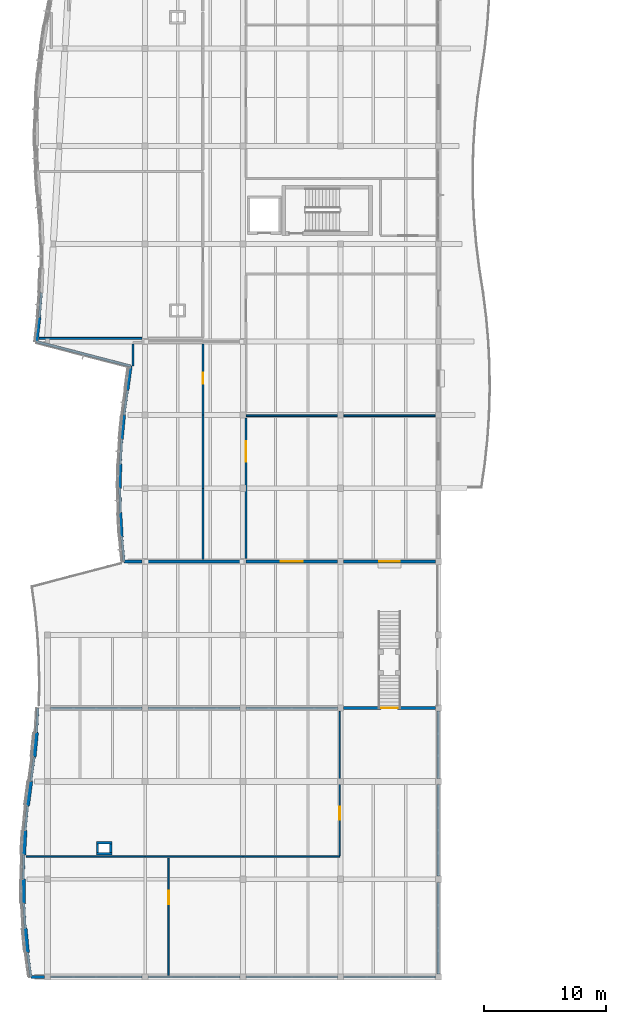
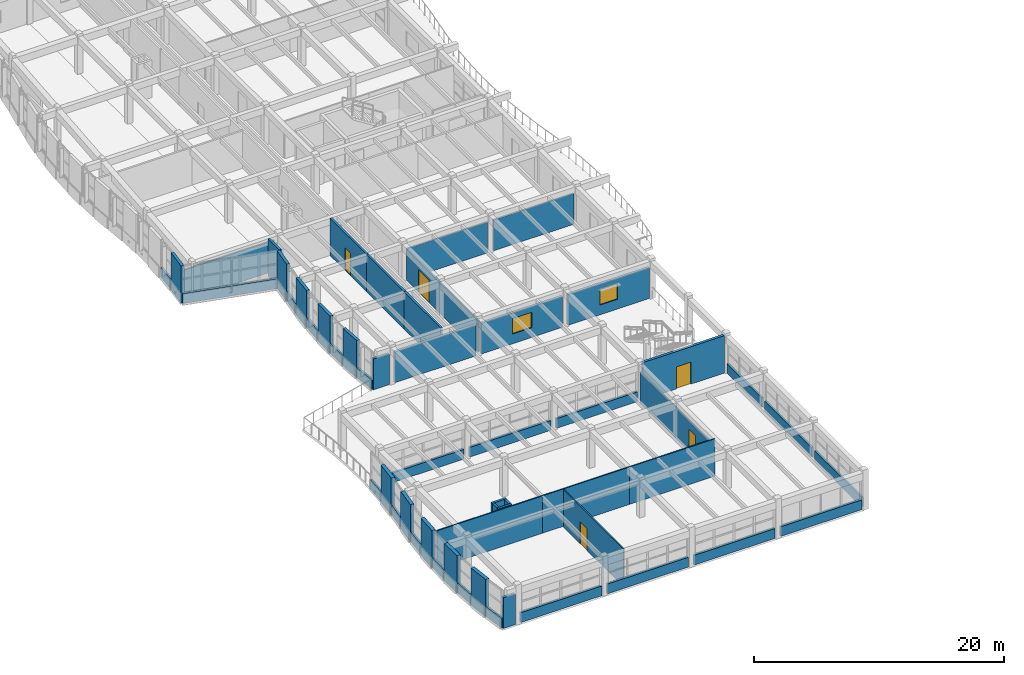
# One storey, part 56 of 89: 55 walls, 5 doors, 2 windows, 7 openings.
"""IFC4 building model written with IfcOpenShell, lengths in metres."""

from ifc_helpers import new_model, si_unit, direction, frame, frame_2d, origin, place, context, subcontext, project, spatial, rectangle, extrude, material, layer, layer_set, type_object, element, fill, save


model = new_model("IFC4")

# Units and contexts
model_context = context("Model", 3, precision=1e-05, world=origin(), true_north=direction((0.0, 1.0)))
body_context = subcontext(model_context, "Body", "Model", "MODEL_VIEW")
ifc_project = project(units=[si_unit("LENGTHUNIT", "METRE"), si_unit("AREAUNIT", "SQUARE_METRE"), si_unit("VOLUMEUNIT", "CUBIC_METRE"), si_unit("PLANEANGLEUNIT", "RADIAN"), si_unit("MASSUNIT", "GRAM", prefix="KILO")], contexts=[model_context])

# Site, building, storey
site_placement = place(None, origin())
site = spatial("IfcSite", under=ifc_project, at=site_placement, CompositionType="ELEMENT")
building_placement = place(site_placement, origin())
building = spatial("IfcBuilding", under=site, at=building_placement, Name="Tonlespit Floodbar School", CompositionType="ELEMENT")
storey_placement = place(building_placement, frame((0.0, 0.0, 4.5)))
storey = spatial("IfcBuildingStorey", under=building, at=storey_placement, Name="L01", CompositionType="ELEMENT", Elevation=4.5)

# Walls
ifc_material_1 = material(Name="Concrete C40/50", Category="concrete")
ifc_layer_1 = layer(ifc_material_1, 0.320068359375)
ifc_layer_set_1 = layer_set([ifc_layer_1], Name="Concrete C40/50")
wall_type_1 = type_object("IfcWallType", Name="ExtWall_Podium_RC_320", PredefinedType="SOLIDWALL", material=ifc_layer_set_1)
wall_1_placement = place(storey_placement, frame((2.378173828125, 6.0, 0.0), z_axis=(0.0, 0.0, 1.0), x_axis=(-0.096110619057, 0.995370659053, 0.0)))
element("IfcWall", 1, at=wall_1_placement, inside=storey, type_object=wall_type_1, Name="L01 external wall 0713", PredefinedType="SOLIDWALL", context=body_context, shape_type="SweptSolid", body=[
    extrude(rectangle(XDim=2.00927734375, YDim=0.320068359375, at=frame_2d((1.004638671875, 0.0))), origin(), (0.0, 0.0, 1.0), 3.64990234375),
])
wall_2_placement = place(storey_placement, frame((2.0693359375, 10.0, 0.0), z_axis=(0.0, 0.0, 1.0), x_axis=(-0.019161520385, 0.999816401214, 0.0)))
element("IfcWall", 2, at=wall_2_placement, inside=storey, type_object=wall_type_1, Name="L01 external wall 0715", PredefinedType="SOLIDWALL", context=body_context, shape_type="SweptSolid", body=[
    extrude(rectangle(XDim=2.00048828125, YDim=0.320068359375, at=frame_2d((1.000244140625, 0.0))), origin(), (0.0, 0.0, 1.0), 3.64990234375),
])
wall_3_placement = place(storey_placement, frame((2.0693359375, 14.0, 0.0), z_axis=(0.0, 0.0, 1.0), x_axis=(0.05776471272, 0.998330224908, 0.0)))
element("IfcWall", 3, at=wall_3_placement, inside=storey, type_object=wall_type_1, Name="L01 external wall 0717", PredefinedType="SOLIDWALL", context=body_context, shape_type="SweptSolid", body=[
    extrude(rectangle(XDim=2.00341796875, YDim=0.320068359375, at=frame_2d((1.001708984375, 0.0))), origin(), (0.0, 0.0, 1.0), 3.64990234375),
])
wall_4_placement = place(storey_placement, frame((2.378173828125, 18.0, 0.0), z_axis=(0.0, 0.0, 1.0), x_axis=(0.134627389588, 0.990896294257, 0.0)))
element("IfcWall", 4, at=wall_4_placement, inside=storey, type_object=wall_type_1, Name="L01 external wall 0719", PredefinedType="SOLIDWALL", context=body_context, shape_type="SweptSolid", body=[
    extrude(rectangle(XDim=2.018310546875, YDim=0.320068359375, at=frame_2d((1.00927734375, 0.0))), origin(), (0.0, 0.0, 1.0), 3.64990234375),
])
wall_5_placement = place(storey_placement, frame((2.921875, 22.0, 0.0), z_axis=(0.0, 0.0, 1.0), x_axis=(0.096110619057, 0.995370659053, 0.0)))
element("IfcWall", 5, at=wall_5_placement, inside=storey, type_object=wall_type_1, Name="L01 external wall 0721", PredefinedType="SOLIDWALL", context=body_context, shape_type="SweptSolid", body=[
    extrude(rectangle(XDim=2.00927734375, YDim=0.320068359375, at=frame_2d((1.004638671875, 0.0))), origin(), (0.0, 0.0, 1.0), 3.64990234375),
])

# Wall, opening, window
ifc_material_2 = material(Name="Precast concrete C40/50", Category="concrete")
ifc_layer_2 = layer(ifc_material_2, 0.239990234375)
ifc_layer_set_2 = layer_set([ifc_layer_2], Name="Precast concrete C40/50")
wall_type_2 = type_object("IfcWallType", Name="ExtWall_Rainscreen_240", PredefinedType="SOLIDWALL", material=ifc_layer_set_2)
wall_6_placement = place(storey_placement, frame((35.75, 38.0, 0.0), z_axis=(0.0, 0.0, 1.0), x_axis=(-1.0, 0.0, 0.0)))
wall_6 = element("IfcWall", 6, at=wall_6_placement, inside=storey, type_object=wall_type_2, Name="L01 external wall 0376", PredefinedType="SOLIDWALL", context=body_context, shape_type="SweptSolid", body=[
    extrude(rectangle(XDim=7.5, YDim=0.239990234375, at=frame_2d((3.75, 0.0))), origin(), (0.0, 0.0, 1.0), 2.998046875),
])
opening_1_placement = place(wall_6_placement, frame((2.925048828125, 0.0, 0.949951171875)))
opening_1 = element("IfcOpeningElement", 7, at=opening_1_placement, cuts=wall_6, Name="Opening W-L01-036", PredefinedType="OPENING", context=body_context, shape_type="SweptSolid", body=[
    extrude(rectangle(XDim=1.64990234375, YDim=1.5, at=frame_2d((0.824951171875, 0.75))), frame((0.0, 0.1298828125, 0.0), z_axis=(0.0, -1.0, 0.0), x_axis=(1.0, 0.0, 0.0)), (0.0, 0.0, 1.0), 0.260009765625),
])
ifc_material_3 = material(Name="Tempered Double Glazing", Category="glass")
window_type_1 = type_object("IfcWindowType", Name="Win_Mod_1650x1500", PartitioningType="DOUBLE_PANEL_VERTICAL", PredefinedType="WINDOW", material=ifc_material_3)
window_1_placement = place(opening_1_placement, origin())
window_1 = element("IfcWindow", 8, at=window_1_placement, inside=storey, type_object=window_type_1, Name="L01 window W-L01-036", OverallHeight=1.5, OverallWidth=1.64990234375, PartitioningType="DOUBLE_PANEL_VERTICAL", PredefinedType="WINDOW", context=body_context, shape_type="SweptSolid", body=[
    extrude(rectangle(XDim=1.64990234375, YDim=1.5, at=frame_2d((0.824951171875, 0.75))), frame((0.0, 0.030029296875, 0.0), z_axis=(0.0, -1.0, 0.0), x_axis=(1.0, 0.0, 0.0)), (0.0, 0.0, 1.0), 0.06005859375),
])
fill(opening_1, window_1)

wall_7_placement = place(storey_placement, frame((27.75, 38.0, 0.0), z_axis=(0.0, 0.0, 1.0), x_axis=(-1.0, 0.0, 0.0)))
wall_7 = element("IfcWall", 9, at=wall_7_placement, inside=storey, type_object=wall_type_2, Name="L01 external wall 0377", PredefinedType="SOLIDWALL", context=body_context, shape_type="SweptSolid", body=[
    extrude(rectangle(XDim=7.5, YDim=0.239990234375, at=frame_2d((3.75, 0.0))), origin(), (0.0, 0.0, 1.0), 2.998046875),
])
opening_2_placement = place(wall_7_placement, frame((2.85009765625, 0.0, 0.949951171875)))
opening_2 = element("IfcOpeningElement", 10, at=opening_2_placement, cuts=wall_7, Name="Opening W-L01-037", PredefinedType="OPENING", context=body_context, shape_type="SweptSolid", body=[
    extrude(rectangle(XDim=1.800048828125, YDim=1.5, at=frame_2d((0.89990234375, 0.75))), frame((0.0, 0.1298828125, 0.0), z_axis=(0.0, -1.0, 0.0), x_axis=(1.0, 0.0, 0.0)), (0.0, 0.0, 1.0), 0.260009765625),
])
window_type_2 = type_object("IfcWindowType", Name="Win_Mod_1800x1500", PartitioningType="DOUBLE_PANEL_VERTICAL", PredefinedType="WINDOW", material=ifc_material_3)
window_2_placement = place(opening_2_placement, origin())
window_2 = element("IfcWindow", 11, at=window_2_placement, inside=storey, type_object=window_type_2, Name="L01 window W-L01-037", OverallHeight=1.5, OverallWidth=1.800048828125, PartitioningType="DOUBLE_PANEL_VERTICAL", PredefinedType="WINDOW", context=body_context, shape_type="SweptSolid", body=[
    extrude(rectangle(XDim=1.800048828125, YDim=1.5, at=frame_2d((0.89990234375, 0.75))), frame((0.0, 0.030029296875, 0.0), z_axis=(0.0, -1.0, 0.0), x_axis=(1.0, 0.0, 0.0)), (0.0, 0.0, 1.0), 0.06005859375),
])
fill(opening_2, window_2)

# Walls
wall_8_placement = place(storey_placement, frame((19.75, 38.0, 0.0), z_axis=(0.0, 0.0, 1.0), x_axis=(-1.0, 0.0, 0.0)))
element("IfcWall", 12, at=wall_8_placement, inside=storey, type_object=wall_type_2, Name="L01 external wall 0378", PredefinedType="SOLIDWALL", context=body_context, shape_type="SweptSolid", body=[
    extrude(rectangle(XDim=7.5, YDim=0.239990234375, at=frame_2d((3.75, 0.0))), origin(), (0.0, 0.0, 1.0), 2.998046875),
])
wall_9_placement = place(storey_placement, frame((11.75, 38.0, 0.0), z_axis=(0.0, 0.0, 1.0), x_axis=(-1.0, 0.0, 0.0)))
element("IfcWall", 13, at=wall_9_placement, inside=storey, type_object=wall_type_2, Name="L01 external wall 0379", PredefinedType="SOLIDWALL", context=body_context, shape_type="SweptSolid", body=[
    extrude(rectangle(XDim=1.4716796875, YDim=0.239990234375, at=frame_2d((0.73583984375, 0.0))), origin(), (0.0, 0.0, 1.0), 3.0),
])
wall_10_placement = place(storey_placement, frame((3.75, 4.0, 0.0), z_axis=(0.0, 0.0, 1.0), x_axis=(-1.0, 0.0, 0.0)))
element("IfcWall", 14, at=wall_10_placement, inside=storey, type_object=wall_type_2, Name="L01 external wall 0727", PredefinedType="SOLIDWALL", context=body_context, shape_type="SweptSolid", body=[
    extrude(rectangle(XDim=1.10009765625, YDim=0.239990234375, at=frame_2d((0.550048828125, 0.0))), origin(), (0.0, 0.0, 1.0), 3.0),
])

# Wall, opening, door
wall_11_placement = place(storey_placement, frame((28.25, 26.0, 0.0), z_axis=(0.0, 0.0, 1.0), x_axis=(1.0, 0.0, 0.0)))
wall_11 = element("IfcWall", 15, at=wall_11_placement, inside=storey, type_object=wall_type_2, Name="L01 external wall 0734", PredefinedType="SOLIDWALL", context=body_context, shape_type="SweptSolid", body=[
    extrude(rectangle(XDim=7.5, YDim=0.239990234375, at=frame_2d((3.75, 0.0))), origin(), (0.0, 0.0, 1.0), 3.64990234375),
])
opening_3_placement = place(wall_11_placement, frame((3.074951171875, 0.0, 0.0)))
opening_3 = element("IfcOpeningElement", 16, at=opening_3_placement, cuts=wall_11, Name="Opening D-TR-039", PredefinedType="OPENING", context=body_context, shape_type="SweptSolid", body=[
    extrude(rectangle(XDim=1.35009765625, YDim=2.14990234375, at=frame_2d((0.675048828125, 1.074951171875))), frame((0.0, 0.1298828125, 0.0), z_axis=(0.0, -1.0, 0.0), x_axis=(1.0, 0.0, 0.0)), (0.0, 0.0, 1.0), 0.260009765625),
])
ifc_material_4 = material(Name="Anodised Aluminium", Category="aluminium")
door_type_1 = type_object("IfcDoorType", Name="ExtDoor_Terrace_1350x2150", OperationType="NOTDEFINED", PredefinedType="DOOR", material=ifc_material_4)
door_1_placement = place(opening_3_placement, origin())
door_1 = element("IfcDoor", 17, at=door_1_placement, inside=storey, type_object=door_type_1, Name="L01 exterior door D-TR-039", OperationType="SINGLE_SWING_LEFT", OverallHeight=2.14990234375, OverallWidth=1.35009765625, PredefinedType="DOOR", context=body_context, shape_type="SweptSolid", body=[
    extrude(rectangle(XDim=1.35009765625, YDim=2.14990234375, at=frame_2d((0.675048828125, 1.074951171875))), frame((0.0, 0.02490234375, 0.0), z_axis=(0.0, -1.0, 0.0), x_axis=(1.0, 0.0, 0.0)), (0.0, 0.0, 1.0), 0.050048828125),
])
fill(opening_3, door_1)

# Walls
ifc_layer_3 = layer(ifc_material_2, 0.260009765625)
ifc_layer_set_3 = layer_set([ifc_layer_3], Name="Precast concrete C40/50")
wall_type_3 = type_object("IfcWallType", Name="ExtWall_Rainscreen_260", PredefinedType="SOLIDWALL", material=ifc_layer_set_3)
wall_12_placement = place(storey_placement, frame((10.0849609375, 40.0, 0.0), z_axis=(0.0, 0.0, 1.0), x_axis=(-0.057643251596, 0.998337245396, 0.0)))
element("IfcWall", 18, at=wall_12_placement, inside=storey, type_object=wall_type_3, Name="L01 external wall 0336", PredefinedType="SOLIDWALL", context=body_context, shape_type="SweptSolid", body=[
    extrude(rectangle(XDim=2.00341796875, YDim=0.260009765625, at=frame_2d((1.001708984375, 0.0))), origin(), (0.0, 0.0, 1.0), 3.64990234375),
])
wall_13_placement = place(storey_placement, frame((9.930908203125, 44.0, 0.0), z_axis=(0.0, 0.0, 1.0), x_axis=(0.019283523045, 0.999814055582, 0.0)))
element("IfcWall", 19, at=wall_13_placement, inside=storey, type_object=wall_type_3, Name="L01 external wall 0338", PredefinedType="SOLIDWALL", context=body_context, shape_type="SweptSolid", body=[
    extrude(rectangle(XDim=2.00048828125, YDim=0.260009765625, at=frame_2d((1.000244140625, 0.0))), origin(), (0.0, 0.0, 1.0), 3.64990234375),
])
wall_14_placement = place(storey_placement, frame((10.0849609375, 48.0, 0.0), z_axis=(0.0, 0.0, 1.0), x_axis=(0.09623099978, 0.99535902803, 0.0)))
element("IfcWall", 20, at=wall_14_placement, inside=storey, type_object=wall_type_3, Name="L01 external wall 0340", PredefinedType="SOLIDWALL", context=body_context, shape_type="SweptSolid", body=[
    extrude(rectangle(XDim=2.00927734375, YDim=0.260009765625, at=frame_2d((1.004638671875, 0.0))), origin(), (0.0, 0.0, 1.0), 3.64990234375),
])
wall_15_placement = place(storey_placement, frame((10.550048828125, 52.0, 0.0), z_axis=(0.0, 0.0, 1.0), x_axis=(0.134627389588, 0.990896294257, 0.0)))
element("IfcWall", 21, at=wall_15_placement, inside=storey, type_object=wall_type_3, Name="L01 external wall 0342", PredefinedType="SOLIDWALL", context=body_context, shape_type="SweptSolid", body=[
    extrude(rectangle(XDim=2.018310546875, YDim=0.260009765625, at=frame_2d((1.00927734375, 0.0))), origin(), (0.0, 0.0, 1.0), 3.64990234375),
])
wall_16_placement = place(storey_placement, frame((3.114990234375, 56.0, 0.0), z_axis=(0.0, 0.0, 1.0), x_axis=(0.116988959085, 0.99313321536, 0.0)))
element("IfcWall", 22, at=wall_16_placement, inside=storey, type_object=wall_type_3, Name="L01 external wall 0344", PredefinedType="SOLIDWALL", context=body_context, shape_type="SweptSolid", body=[
    extrude(rectangle(XDim=2.013916015625, YDim=0.260009765625, at=frame_2d((1.0068359375, 0.0))), origin(), (0.0, 0.0, 1.0), 3.64990234375),
])
ifc_material_5 = material(Name="White Architectural Precast concrete C40/50", Category="concrete")
ifc_layer_4 = layer(ifc_material_5, 0.18505859375)
ifc_layer_set_4 = layer_set([ifc_layer_4], Name="White Architectural Precast concrete C40/50")
wall_type_4 = type_object("IfcWallType", Name="ExtWall_Spandrel_White_185", PredefinedType="SOLIDWALL", material=ifc_layer_set_4)
for number, where, z_axis, x_axis, name in (
    (23, (35.75, 4.0, 0.0), (0.0, 0.0, 1.0), (-1.0, 0.0, 0.0), "L01 spandrel wall 0723"),
    (24, (27.75, 4.0, 0.0), (0.0, 0.0, 1.0), (-1.0, 0.0, 0.0), "L01 spandrel wall 0724"),
    (25, (19.75, 4.0, 0.0), (0.0, 0.0, 1.0), (-1.0, 0.0, 0.0), "L01 spandrel wall 0725"),
    (26, (11.75, 4.0, 0.0), (0.0, 0.0, 1.0), (-1.0, 0.0, 0.0), "L01 spandrel wall 0726"),
):
    element("IfcWall", number, at=place(storey_placement, frame(where, z_axis=z_axis, x_axis=x_axis)), inside=storey, type_object=wall_type_4, Name=name, PredefinedType="SOLIDWALL", context=body_context, shape_type="SweptSolid", body=[
        extrude(rectangle(XDim=7.5, YDim=0.18505859375, at=frame_2d((3.75, 0.0))), origin(), (0.0, 0.0, 1.0), 0.949951171875),
    ])
wall_17_placement = place(storey_placement, frame((36.0, 25.75, 0.0), z_axis=(0.0, 0.0, 1.0), x_axis=(0.0, -1.0, 0.0)))
element("IfcWall", 27, at=wall_17_placement, inside=storey, type_object=wall_type_4, Name="L01 spandrel wall 0728", PredefinedType="SOLIDWALL", context=body_context, shape_type="SweptSolid", body=[
    extrude(rectangle(XDim=5.5, YDim=0.18505859375, at=frame_2d((2.75, 0.0))), origin(), (0.0, 0.0, 1.0), 0.949951171875),
])
for number, where, z_axis, x_axis, name in (
    (28, (36.0, 19.75, 0.0), (0.0, 0.0, 1.0), (0.0, -1.0, 0.0), "L01 spandrel wall 0729"),
    (29, (36.0, 11.75, 0.0), (0.0, 0.0, 1.0), (0.0, -1.0, 0.0), "L01 spandrel wall 0730"),
    (30, (4.25, 26.0, 0.0), (0.0, 0.0, 1.0), (1.0, 0.0, 0.0), "L01 spandrel wall 0731"),
    (31, (12.25, 26.0, 0.0), (0.0, 0.0, 1.0), (1.0, 0.0, 0.0), "L01 spandrel wall 0732"),
    (32, (20.25, 26.0, 0.0), (0.0, 0.0, 1.0), (1.0, 0.0, 0.0), "L01 spandrel wall 0733"),
):
    element("IfcWall", number, at=place(storey_placement, frame(where, z_axis=z_axis, x_axis=x_axis)), inside=storey, type_object=wall_type_4, Name=name, PredefinedType="SOLIDWALL", context=body_context, shape_type="SweptSolid", body=[
        extrude(rectangle(XDim=7.5, YDim=0.18505859375, at=frame_2d((3.75, 0.0))), origin(), (0.0, 0.0, 1.0), 0.949951171875),
    ])
ifc_layer_5 = layer(ifc_material_5, 0.199951171875)
ifc_layer_set_5 = layer_set([ifc_layer_5], Name="White Architectural Precast concrete C40/50")
wall_type_5 = type_object("IfcWallType", Name="ExtWall_Spandrel_White_200", PredefinedType="SOLIDWALL", material=ifc_layer_set_5)
wall_18_placement = place(storey_placement, frame((10.2783203125, 38.0, 0.0), z_axis=(0.0, 0.0, 1.0), x_axis=(-0.09623099978, 0.99535902803, 0.0)))
element("IfcWall", 33, at=wall_18_placement, inside=storey, type_object=wall_type_5, Name="L01 spandrel wall 0335", PredefinedType="SOLIDWALL", context=body_context, shape_type="SweptSolid", body=[
    extrude(rectangle(XDim=2.00927734375, YDim=0.199951171875, at=frame_2d((1.004638671875, 0.0))), origin(), (0.0, 0.0, 1.0), 0.949951171875),
])
wall_19_placement = place(storey_placement, frame((9.969482421875, 42.0, 0.0), z_axis=(0.0, 0.0, 1.0), x_axis=(-0.019283523045, 0.999814055582, 0.0)))
element("IfcWall", 34, at=wall_19_placement, inside=storey, type_object=wall_type_5, Name="L01 spandrel wall 0337", PredefinedType="SOLIDWALL", context=body_context, shape_type="SweptSolid", body=[
    extrude(rectangle(XDim=2.00048828125, YDim=0.199951171875, at=frame_2d((1.000244140625, 0.0))), origin(), (0.0, 0.0, 1.0), 0.949951171875),
])
wall_20_placement = place(storey_placement, frame((9.969482421875, 46.0, 0.0), z_axis=(0.0, 0.0, 1.0), x_axis=(0.057643251596, 0.998337245396, 0.0)))
element("IfcWall", 35, at=wall_20_placement, inside=storey, type_object=wall_type_5, Name="L01 spandrel wall 0339", PredefinedType="SOLIDWALL", context=body_context, shape_type="SweptSolid", body=[
    extrude(rectangle(XDim=2.00341796875, YDim=0.199951171875, at=frame_2d((1.001708984375, 0.0))), origin(), (0.0, 0.0, 1.0), 0.949951171875),
])
wall_21_placement = place(storey_placement, frame((10.2783203125, 50.0, 0.0), z_axis=(0.0, 0.0, 1.0), x_axis=(0.134627389588, 0.990896294257, 0.0)))
element("IfcWall", 36, at=wall_21_placement, inside=storey, type_object=wall_type_5, Name="L01 spandrel wall 0341", PredefinedType="SOLIDWALL", context=body_context, shape_type="SweptSolid", body=[
    extrude(rectangle(XDim=2.018310546875, YDim=0.199951171875, at=frame_2d((1.00927734375, 0.0))), origin(), (0.0, 0.0, 1.0), 0.949951171875),
])
wall_22_placement = place(storey_placement, frame((10.82177734375, 54.0, 0.0), z_axis=(0.0, 0.0, 1.0), x_axis=(-0.967937555254, 0.251190941573, 0.0)))
element("IfcWall", 37, at=wall_22_placement, inside=storey, type_object=wall_type_5, Name="L01 spandrel wall 0343", PredefinedType="SOLIDWALL", context=body_context, shape_type="SweptSolid", body=[
    extrude(rectangle(XDim=7.962158203125, YDim=0.199951171875, at=frame_2d((3.98095703125, 0.0))), origin(), (0.0, 0.0, 1.0), 0.949951171875),
])
wall_23_placement = place(storey_placement, frame((3.3505859375, 58.0, 0.0), z_axis=(0.0, 0.0, 1.0), x_axis=(0.078976178075, 0.996876503533, 0.0)))
element("IfcWall", 38, at=wall_23_placement, inside=storey, type_object=wall_type_5, Name="L01 spandrel wall 0345", PredefinedType="SOLIDWALL", context=body_context, shape_type="SweptSolid", body=[
    extrude(rectangle(XDim=2.00634765625, YDim=0.199951171875, at=frame_2d((1.003173828125, 0.0))), origin(), (0.0, 0.0, 1.0), 0.949951171875),
])
wall_24_placement = place(storey_placement, frame((2.64990234375, 4.0, 0.0), z_axis=(0.0, 0.0, 1.0), x_axis=(-0.134627389588, 0.990896294257, 0.0)))
element("IfcWall", 39, at=wall_24_placement, inside=storey, type_object=wall_type_5, Name="L01 spandrel wall 0712", PredefinedType="SOLIDWALL", context=body_context, shape_type="SweptSolid", body=[
    extrude(rectangle(XDim=2.018310546875, YDim=0.199951171875, at=frame_2d((1.00927734375, 0.0))), origin(), (0.0, 0.0, 1.0), 0.949951171875),
])
wall_25_placement = place(storey_placement, frame((2.18505859375, 8.0, 0.0), z_axis=(0.0, 0.0, 1.0), x_axis=(-0.05776471272, 0.998330224908, 0.0)))
element("IfcWall", 40, at=wall_25_placement, inside=storey, type_object=wall_type_5, Name="L01 spandrel wall 0714", PredefinedType="SOLIDWALL", context=body_context, shape_type="SweptSolid", body=[
    extrude(rectangle(XDim=2.00341796875, YDim=0.199951171875, at=frame_2d((1.001708984375, 0.0))), origin(), (0.0, 0.0, 1.0), 0.949951171875),
])
wall_26_placement = place(storey_placement, frame((2.031005859375, 12.0, 0.0), z_axis=(0.0, 0.0, 1.0), x_axis=(0.019161520385, 0.999816401214, 0.0)))
element("IfcWall", 41, at=wall_26_placement, inside=storey, type_object=wall_type_5, Name="L01 spandrel wall 0716", PredefinedType="SOLIDWALL", context=body_context, shape_type="SweptSolid", body=[
    extrude(rectangle(XDim=2.00048828125, YDim=0.199951171875, at=frame_2d((1.000244140625, 0.0))), origin(), (0.0, 0.0, 1.0), 0.949951171875),
])
wall_27_placement = place(storey_placement, frame((2.18505859375, 16.0, 0.0), z_axis=(0.0, 0.0, 1.0), x_axis=(0.096110619057, 0.995370659053, 0.0)))
element("IfcWall", 42, at=wall_27_placement, inside=storey, type_object=wall_type_5, Name="L01 spandrel wall 0718", PredefinedType="SOLIDWALL", context=body_context, shape_type="SweptSolid", body=[
    extrude(rectangle(XDim=2.00927734375, YDim=0.199951171875, at=frame_2d((1.004638671875, 0.0))), origin(), (0.0, 0.0, 1.0), 0.949951171875),
])
wall_28_placement = place(storey_placement, frame((2.64990234375, 20.0, 0.0), z_axis=(0.0, 0.0, 1.0), x_axis=(0.134746153381, 0.990880151254, 0.0)))
element("IfcWall", 43, at=wall_28_placement, inside=storey, type_object=wall_type_5, Name="L01 spandrel wall 0720", PredefinedType="SOLIDWALL", context=body_context, shape_type="SweptSolid", body=[
    extrude(rectangle(XDim=2.018310546875, YDim=0.199951171875, at=frame_2d((1.00927734375, 0.0))), origin(), (0.0, 0.0, 1.0), 0.949951171875),
])
wall_29_placement = place(storey_placement, frame((3.114990234375, 24.0, 0.0), z_axis=(0.0, 0.0, 1.0), x_axis=(0.05776471272, 0.998330224908, 0.0)))
element("IfcWall", 44, at=wall_29_placement, inside=storey, type_object=wall_type_5, Name="L01 spandrel wall 0722", PredefinedType="SOLIDWALL", context=body_context, shape_type="SweptSolid", body=[
    extrude(rectangle(XDim=2.00341796875, YDim=0.199951171875, at=frame_2d((1.001708984375, 0.0))), origin(), (0.0, 0.0, 1.0), 0.949951171875),
])
ifc_material_6 = material(Name="Gypsum Plasterboard Partition")
ifc_layer_6 = layer(ifc_material_6, 0.159912109375)
ifc_layer_set_6 = layer_set([ifc_layer_6], Name="Gypsum Plasterboard Partition")
wall_type_6 = type_object("IfcWallType", Name="FireWall_Lab_160", PredefinedType="PARTITIONING", material=ifc_layer_set_6)
wall_30_placement = place(storey_placement, frame((3.31884765625, 56.27001953125, 0.0), z_axis=(0.0, 0.0, 1.0), x_axis=(1.0, 0.0, 0.0)))
element("IfcWall", 45, at=wall_30_placement, inside=storey, type_object=wall_type_6, Name="L01 partition wall 0184", PredefinedType="PARTITIONING", context=body_context, shape_type="SweptSolid", body=[
    extrude(rectangle(XDim=8.416259765625, YDim=0.159912109375, at=frame_2d((4.2080078125, 0.0))), origin(), (0.0, 0.0, 1.0), 3.0),
])
ifc_layer_7 = layer(ifc_material_1, 0.199951171875)
ifc_layer_set_7 = layer_set([ifc_layer_7], Name="Concrete C40/50")
wall_type_7 = type_object("IfcWallType", Name="FireWall_Plant_200", PredefinedType="PARTITIONING", material=ifc_layer_set_7)
for number, where, z_axis, x_axis, name in (
    (46, (9.300048828125, 14.10009765625, 0.0), (0.0, 0.0, 1.0), (-1.0, 0.0, 0.0), "L01 service riser 06 wall S"),
    (47, (8.0, 15.0, 0.0), (0.0, 0.0, 1.0), (1.0, 0.0, 0.0), "L01 service riser 06 wall N"),
):
    element("IfcWall", number, at=place(storey_placement, frame(where, z_axis=z_axis, x_axis=x_axis)), inside=storey, type_object=wall_type_7, Name=name, PredefinedType="PARTITIONING", context=body_context, shape_type="SweptSolid", body=[
        extrude(rectangle(XDim=1.300048828125, YDim=0.199951171875, at=frame_2d((0.64990234375, 0.0))), origin(), (0.0, 0.0, 1.0), 3.64990234375),
    ])
for number, where, z_axis, x_axis, name in (
    (48, (8.10009765625, 14.199951171875, 0.0), (0.0, 0.0, 1.0), (0.0, 1.0, 0.0), "L01 service riser 06 wall W"),
    (49, (9.199951171875, 14.89990234375, 0.0), (0.0, 0.0, 1.0), (0.0, -1.0, 0.0), "L01 service riser 06 wall E"),
):
    element("IfcWall", number, at=place(storey_placement, frame(where, z_axis=z_axis, x_axis=x_axis)), inside=storey, type_object=wall_type_7, Name=name, PredefinedType="PARTITIONING", context=body_context, shape_type="SweptSolid", body=[
        extrude(rectangle(XDim=0.699951171875, YDim=0.199951171875, at=frame_2d((0.35009765625, 0.0))), origin(), (0.0, 0.0, 1.0), 3.64990234375),
    ])
ifc_layer_8 = layer(ifc_material_6, 0.110107421875)
ifc_layer_set_8 = layer_set([ifc_layer_8], Name="Gypsum Plasterboard Partition")
wall_type_8 = type_object("IfcWallType", Name="Partition_Gyp_110", PredefinedType="PARTITIONING", material=ifc_layer_set_8)
wall_31_placement = place(storey_placement, frame((2.263916015625, 13.8701171875, 0.0), z_axis=(0.0, 0.0, 1.0), x_axis=(1.0, 0.0, 0.0)))
element("IfcWall", 50, at=wall_31_placement, inside=storey, type_object=wall_type_8, Name="L01 partition wall 0445", PredefinedType="PARTITIONING", context=body_context, shape_type="SweptSolid", body=[
    extrude(rectangle(XDim=9.736083984375, YDim=0.110107421875, at=frame_2d((4.8681640625, 0.0))), origin(), (0.0, 0.0, 1.0), 3.64990234375),
])
wall_32_placement = place(storey_placement, frame((12.0, 13.8701171875, 0.0), z_axis=(0.0, 0.0, 1.0), x_axis=(1.0, 0.0, 0.0)))
element("IfcWall", 51, at=wall_32_placement, inside=storey, type_object=wall_type_8, Name="L01 partition wall 0446", PredefinedType="PARTITIONING", context=body_context, shape_type="SweptSolid", body=[
    extrude(rectangle(XDim=8.0, YDim=0.110107421875, at=frame_2d((4.0, 0.0))), origin(), (0.0, 0.0, 1.0), 3.64990234375),
])
wall_33_placement = place(storey_placement, frame((20.0, 13.8701171875, 0.0), z_axis=(0.0, 0.0, 1.0), x_axis=(1.0, 0.0, 0.0)))
element("IfcWall", 52, at=wall_33_placement, inside=storey, type_object=wall_type_8, Name="L01 partition wall 0447", PredefinedType="PARTITIONING", context=body_context, shape_type="SweptSolid", body=[
    extrude(rectangle(XDim=7.929931640625, YDim=0.110107421875, at=frame_2d((3.96484375, 0.0))), origin(), (0.0, 0.0, 1.0), 3.64990234375),
])

# Wall, opening, door
wall_34_placement = place(storey_placement, frame((27.929931640625, 13.93994140625, 0.0), z_axis=(0.0, 0.0, 1.0), x_axis=(0.0, 1.0, 0.0)))
wall_34 = element("IfcWall", 53, at=wall_34_placement, inside=storey, type_object=wall_type_8, Name="L01 partition wall 0448", PredefinedType="PARTITIONING", context=body_context, shape_type="SweptSolid", body=[
    extrude(rectangle(XDim=11.7900390625, YDim=0.110107421875, at=frame_2d((5.89501953125, 0.0))), origin(), (0.0, 0.0, 1.0), 2.998046875),
])
opening_4_placement = place(wall_34_placement, frame((2.93505859375, 0.0, 0.0)))
opening_4 = element("IfcOpeningElement", 54, at=opening_4_placement, cuts=wall_34, Name="Opening D-L01-121", PredefinedType="OPENING", context=body_context, shape_type="SweptSolid", body=[
    extrude(rectangle(XDim=1.050048828125, YDim=2.10009765625, at=frame_2d((0.52490234375, 1.050048828125))), frame((0.0, 0.06494140625, 0.0), z_axis=(0.0, -1.0, 0.0), x_axis=(1.0, 0.0, 0.0)), (0.0, 0.0, 1.0), 0.130126953125),
])
ifc_material_7 = material(Name="Hardwood Timber", Category="wood")
door_type_2 = type_object("IfcDoorType", Name="IntDoor_1050x2100", OperationType="NOTDEFINED", PredefinedType="DOOR", material=ifc_material_7)
door_2_placement = place(opening_4_placement, origin())
door_2 = element("IfcDoor", 55, at=door_2_placement, inside=storey, type_object=door_type_2, Name="L01 interior door D-L01-121", OperationType="SINGLE_SWING_RIGHT", OverallHeight=2.10009765625, OverallWidth=1.050048828125, PredefinedType="DOOR", context=body_context, shape_type="SweptSolid", body=[
    extrude(rectangle(XDim=1.050048828125, YDim=2.10009765625, at=frame_2d((0.52490234375, 1.050048828125))), frame((0.0, 0.02490234375, 0.0), z_axis=(0.0, -1.0, 0.0), x_axis=(1.0, 0.0, 0.0)), (0.0, 0.0, 1.0), 0.050048828125),
])
fill(opening_4, door_2)

ifc_layer_9 = layer(ifc_material_6, 0.1201171875)
ifc_layer_set_9 = layer_set([ifc_layer_9], Name="Gypsum Plasterboard Partition")
wall_type_9 = type_object("IfcWallType", Name="Partition_Gyp_120", PredefinedType="PARTITIONING", material=ifc_layer_set_9)
wall_35_placement = place(storey_placement, frame((13.929931640625, 4.134521484375, 0.0), z_axis=(0.0, 0.0, 1.0), x_axis=(0.0, 1.0, 0.0)))
wall_35 = element("IfcWall", 56, at=wall_35_placement, inside=storey, type_object=wall_type_9, Name="L01 partition wall 0449", PredefinedType="PARTITIONING", context=body_context, shape_type="SweptSolid", body=[
    extrude(rectangle(XDim=9.595458984375, YDim=0.1201171875, at=frame_2d((4.7978515625, 0.0))), origin(), (0.0, 0.0, 1.0), 3.64990234375),
])
opening_5_placement = place(wall_35_placement, frame((5.825439453125, 0.0, 0.0)))
opening_5 = element("IfcOpeningElement", 57, at=opening_5_placement, cuts=wall_35, Name="Opening D-L01-122", PredefinedType="OPENING", context=body_context, shape_type="SweptSolid", body=[
    extrude(rectangle(XDim=1.080078125, YDim=2.14990234375, at=frame_2d((0.5400390625, 1.074951171875))), frame((0.0, 0.070068359375, 0.0), z_axis=(0.0, -1.0, 0.0), x_axis=(1.0, 0.0, 0.0)), (0.0, 0.0, 1.0), 0.14013671875),
])
door_type_3 = type_object("IfcDoorType", Name="IntDoor_1080x2150", OperationType="NOTDEFINED", PredefinedType="DOOR", material=ifc_material_7)
door_3_placement = place(opening_5_placement, origin())
door_3 = element("IfcDoor", 58, at=door_3_placement, inside=storey, type_object=door_type_3, Name="L01 interior door D-L01-122", OperationType="SINGLE_SWING_LEFT", OverallHeight=2.14990234375, OverallWidth=1.080078125, PredefinedType="DOOR", context=body_context, shape_type="SweptSolid", body=[
    extrude(rectangle(XDim=1.080078125, YDim=2.14990234375, at=frame_2d((0.5400390625, 1.074951171875))), frame((0.0, 0.02490234375, 0.0), z_axis=(0.0, -1.0, 0.0), x_axis=(1.0, 0.0, 0.0)), (0.0, 0.0, 1.0), 0.050048828125),
])
fill(opening_5, door_3)

# Walls
ifc_layer_10 = layer(ifc_material_6, 0.14990234375)
ifc_layer_set_10 = layer_set([ifc_layer_10], Name="Gypsum Plasterboard Partition")
wall_type_10 = type_object("IfcWallType", Name="Partition_Gyp_150", PredefinedType="PARTITIONING", material=ifc_layer_set_10)
for number, where, z_axis, x_axis, name in (
    (59, (20.27001953125, 49.929931640625, 0.0), (0.0, 0.0, 1.0), (1.0, 0.0, 0.0), "L01 partition wall 0208"),
    (60, (28.264892578125, 49.929931640625, 0.0), (0.0, 0.0, 1.0), (1.0, 0.0, 0.0), "L01 partition wall 0209"),
):
    element("IfcWall", number, at=place(storey_placement, frame(where, z_axis=z_axis, x_axis=x_axis)), inside=storey, type_object=wall_type_10, Name=name, PredefinedType="PARTITIONING", context=body_context, shape_type="SweptSolid", body=[
        extrude(rectangle(XDim=7.465087890625, YDim=0.14990234375, at=frame_2d((3.732421875, 0.0))), origin(), (0.0, 0.0, 1.0), 3.0),
    ])

# Wall, opening, door
wall_36_placement = place(storey_placement, frame((20.27001953125, 38.264892578125, 0.0), z_axis=(0.0, 0.0, 1.0), x_axis=(0.0, 1.0, 0.0)))
wall_36 = element("IfcWall", 61, at=wall_36_placement, inside=storey, type_object=wall_type_10, Name="L01 partition wall 0210", PredefinedType="PARTITIONING", context=body_context, shape_type="SweptSolid", body=[
    extrude(rectangle(XDim=11.47021484375, YDim=0.14990234375, at=frame_2d((5.735107421875, 0.0))), origin(), (0.0, 0.0, 1.0), 2.998046875),
])
opening_6_placement = place(wall_36_placement, frame((7.89501953125, 0.0, 0.0)))
opening_6 = element("IfcOpeningElement", 62, at=opening_6_placement, cuts=wall_36, Name="Opening D-L01-062", PredefinedType="OPENING", context=body_context, shape_type="SweptSolid", body=[
    extrude(rectangle(XDim=1.679931640625, YDim=2.199951171875, at=frame_2d((0.83984375, 1.10009765625))), frame((0.0, 0.0849609375, 0.0), z_axis=(0.0, -1.0, 0.0), x_axis=(1.0, 0.0, 0.0)), (0.0, 0.0, 1.0), 0.169921875),
])
door_type_4 = type_object("IfcDoorType", Name="IntDoor_1680x2200", OperationType="NOTDEFINED", PredefinedType="DOOR", material=ifc_material_7)
door_4_placement = place(opening_6_placement, origin())
door_4 = element("IfcDoor", 63, at=door_4_placement, inside=storey, type_object=door_type_4, Name="L01 interior door D-L01-062", OperationType="SINGLE_SWING_LEFT", OverallHeight=2.199951171875, OverallWidth=1.679931640625, PredefinedType="DOOR", context=body_context, shape_type="SweptSolid", body=[
    extrude(rectangle(XDim=1.679931640625, YDim=2.199951171875, at=frame_2d((0.83984375, 1.10009765625))), frame((0.0, 0.02490234375, 0.0), z_axis=(0.0, -1.0, 0.0), x_axis=(1.0, 0.0, 0.0)), (0.0, 0.0, 1.0), 0.050048828125),
])
fill(opening_6, door_4)

# Walls
ifc_layer_11 = layer(ifc_material_6, 0.18505859375)
ifc_layer_set_11 = layer_set([ifc_layer_11], Name="Gypsum Plasterboard Partition")
wall_type_11 = type_object("IfcWallType", Name="Partition_Gyp_185", PredefinedType="PARTITIONING", material=ifc_layer_set_11)
wall_37_placement = place(storey_placement, frame((11.0048828125, 54.02001953125, 0.0), z_axis=(0.0, 0.0, 1.0), x_axis=(0.0, 1.0, 0.0)))
element("IfcWall", 64, at=wall_37_placement, inside=storey, type_object=wall_type_11, Name="L01 partition wall 0215", PredefinedType="PARTITIONING", context=body_context, shape_type="SweptSolid", body=[
    extrude(rectangle(XDim=1.802490234375, YDim=0.18505859375, at=frame_2d((0.9013671875, 0.0))), origin(), (0.0, 0.0, 1.0), 3.64990234375),
])
wall_38_placement = place(storey_placement, frame((16.72998046875, 38.162109375, 0.0), z_axis=(0.0, 0.0, 1.0), x_axis=(0.0, 1.0, 0.0)))
element("IfcWall", 65, at=wall_38_placement, inside=storey, type_object=wall_type_11, Name="L01 partition wall 0216", PredefinedType="PARTITIONING", context=body_context, shape_type="SweptSolid", body=[
    extrude(rectangle(XDim=5.837890625, YDim=0.18505859375, at=frame_2d((2.9189453125, 0.0))), origin(), (0.0, 0.0, 1.0), 3.64990234375),
])
wall_39_placement = place(storey_placement, frame((16.72998046875, 44.0, 0.0), z_axis=(0.0, 0.0, 1.0), x_axis=(0.0, 1.0, 0.0)))
element("IfcWall", 66, at=wall_39_placement, inside=storey, type_object=wall_type_11, Name="L01 partition wall 0217", PredefinedType="PARTITIONING", context=body_context, shape_type="SweptSolid", body=[
    extrude(rectangle(XDim=6.0, YDim=0.18505859375, at=frame_2d((3.0, 0.0))), origin(), (0.0, 0.0, 1.0), 3.64990234375),
])

# Wall, opening, door
wall_40_placement = place(storey_placement, frame((16.72998046875, 50.0, 0.0), z_axis=(0.0, 0.0, 1.0), x_axis=(0.0, 1.0, 0.0)))
wall_40 = element("IfcWall", 67, at=wall_40_placement, inside=storey, type_object=wall_type_11, Name="L01 partition wall 0218", PredefinedType="PARTITIONING", context=body_context, shape_type="SweptSolid", body=[
    extrude(rectangle(XDim=5.822509765625, YDim=0.18505859375, at=frame_2d((2.9111328125, 0.0))), origin(), (0.0, 0.0, 1.0), 3.64990234375),
])
opening_7_placement = place(wall_40_placement, frame((2.5400390625, 0.0, 0.0)))
opening_7 = element("IfcOpeningElement", 68, at=opening_7_placement, cuts=wall_40, Name="Opening D-L01-064", PredefinedType="OPENING", context=body_context, shape_type="SweptSolid", body=[
    extrude(rectangle(XDim=0.919921875, YDim=2.199951171875, at=frame_2d((0.4599609375, 1.10009765625))), frame((0.0, 0.1025390625, 0.0), z_axis=(0.0, -1.0, 0.0), x_axis=(1.0, 0.0, 0.0)), (0.0, 0.0, 1.0), 0.205078125),
])
door_type_5 = type_object("IfcDoorType", Name="IntDoor_920x2200", OperationType="NOTDEFINED", PredefinedType="DOOR", material=ifc_material_7)
door_5_placement = place(opening_7_placement, origin())
door_5 = element("IfcDoor", 69, at=door_5_placement, inside=storey, type_object=door_type_5, Name="L01 interior door D-L01-064", OperationType="SINGLE_SWING_LEFT", OverallHeight=2.199951171875, OverallWidth=0.919921875, PredefinedType="DOOR", context=body_context, shape_type="SweptSolid", body=[
    extrude(rectangle(XDim=0.919921875, YDim=2.199951171875, at=frame_2d((0.4599609375, 1.10009765625))), frame((0.0, 0.02490234375, 0.0), z_axis=(0.0, -1.0, 0.0), x_axis=(1.0, 0.0, 0.0)), (0.0, 0.0, 1.0), 0.050048828125),
])
fill(opening_7, door_5)

save(model, "model.ifc")
